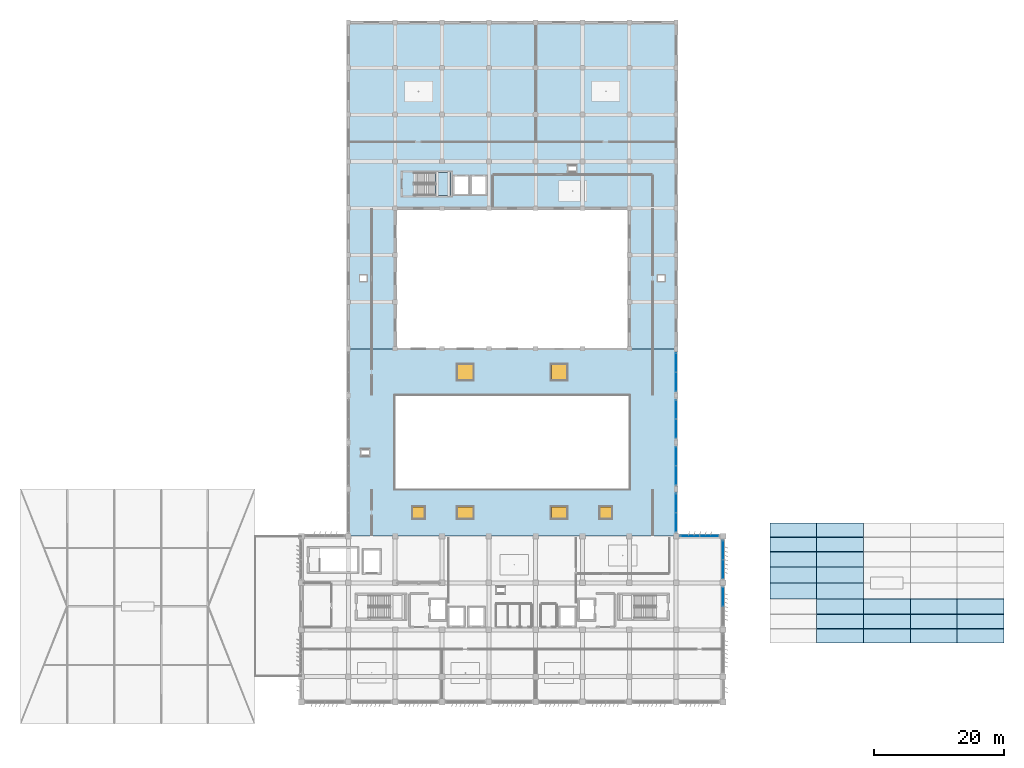
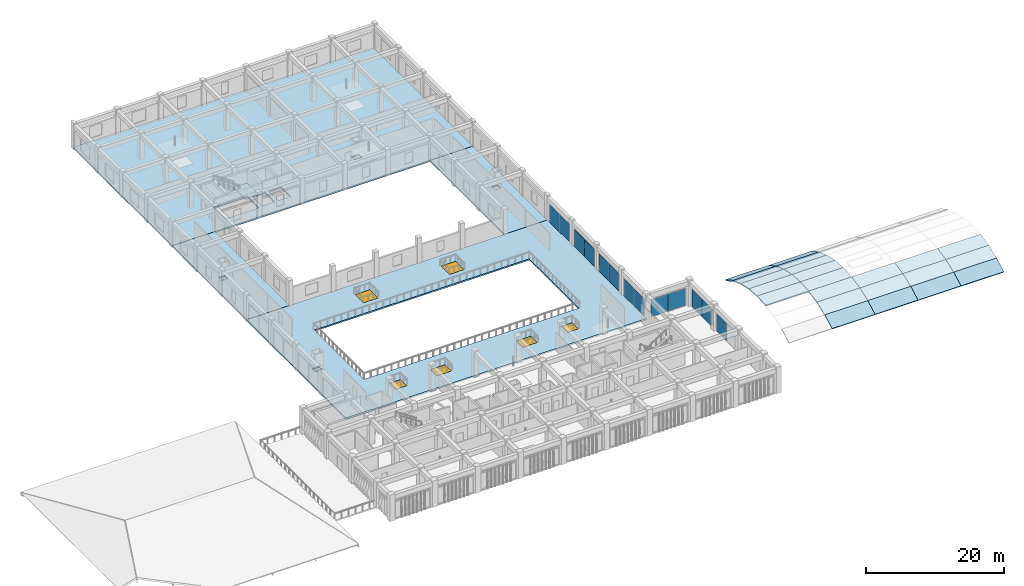
# One storey, part 27 of 55: 27 slabs, 13 plates, 6 windows, 6 openings, 8 elements without a shape of their own.
"""IFC4 building model written with IfcOpenShell, lengths in metres."""

import ifcopenshell
import ifcopenshell.guid

model = None  # the IFC model being written
_history = None  # IfcOwnerHistory: only IFC2X3 demands one
_inside = {}  # id of a spatial element -> (the spatial element, [elements in it])
_under = {}  # id of a project, library or spatial element -> (it, [spatial elements below it])
_declared = {}  # id of a project -> (the project, [libraries it declares])
_typed = {}  # id of a type object -> (the type object, [elements of that type])
_made_of = {}  # id of a material, layer set ... -> (it, [elements and type objects made of it])


def new_model(schema):
    """Start an empty IFC model of exactly this schema.

    Asked for "IFC4X3", IfcOpenShell would pick the latest addendum, in which some entities
    have other attributes; the version numbers below select the first issue.
    IFC2X3 requires an IfcOwnerHistory on every rooted entity: one is made here for all.
    """
    global model, _history
    if schema == "IFC4X3":
        model = ifcopenshell.file(schema_version=(4, 3, 0, 0))
    else:
        model = ifcopenshell.file(schema=schema)
    _inside.clear()
    _under.clear()
    _declared.clear()
    _typed.clear()
    _made_of.clear()
    _history = None
    if model.schema == "IFC2X3":
        org = make("IfcOrganization", Name="unknown")
        user = make(
            "IfcPersonAndOrganization",
            ThePerson=make("IfcPerson", FamilyName="unknown"),
            TheOrganization=org,
        )
        app = make(
            "IfcApplication",
            ApplicationDeveloper=org,
            Version="unknown",
            ApplicationFullName="unknown",
            ApplicationIdentifier="unknown",
        )
        _history = make(
            "IfcOwnerHistory",
            OwningUser=user,
            OwningApplication=app,
            ChangeAction="ADDED",
            CreationDate=0,
        )
    return model


def make(cls, **values):
    """One entity of the class cls with the attributes given. An attribute that is None is left unset."""
    return model.create_entity(
        cls, **{name: value for name, value in values.items() if value is not None}
    )


def rooted(cls, **values):
    """An entity with a GlobalId (a new one), such as an element, a storey or a relation."""
    return make(cls, GlobalId=ifcopenshell.guid.new(), OwnerHistory=_history, **values)


def si_unit(unit_type, name, prefix=None):
    """IfcSIUnit, for example si_unit("LENGTHUNIT", "METRE", prefix="MILLI")."""
    return make("IfcSIUnit", UnitType=unit_type, Prefix=prefix, Name=name)


def assignment(units):
    """IfcUnitAssignment: the units of a project."""
    return None if units is None else make("IfcUnitAssignment", Units=units)


def point(xyz):
    """IfcCartesianPoint."""
    return None if xyz is None else make("IfcCartesianPoint", Coordinates=xyz)


def direction(xyz):
    """IfcDirection."""
    return None if xyz is None else make("IfcDirection", DirectionRatios=xyz)


def frame(location, z_axis=None, x_axis=None):
    """IfcAxis2Placement3D, a coordinate frame: its origin and axes. An axis left out is left unset."""
    return make(
        "IfcAxis2Placement3D",
        Location=point(location),
        Axis=direction(z_axis),
        RefDirection=direction(x_axis),
    )


def frame_2d(location, x_axis=None):
    """IfcAxis2Placement2D, a coordinate frame in the plane: its origin and x axis."""
    return make(
        "IfcAxis2Placement2D", Location=point(location), RefDirection=direction(x_axis)
    )


def origin():
    """The frame at (0, 0, 0) with its axes left unset."""
    return frame((0.0, 0.0, 0.0))


def origin_2d():
    """The frame at (0, 0) in the plane with its x axis left unset."""
    return frame_2d((0.0, 0.0))


def place(relative_to, where):
    """IfcLocalPlacement: puts the frame where relative to a parent placement (None: the world)."""
    return make(
        "IfcLocalPlacement", PlacementRelTo=relative_to, RelativePlacement=where
    )


def context(
    kind, dimensions, precision=None, world=None, true_north=None, identifier=None
):
    """IfcGeometricRepresentationContext, for example the 3D "Model" context."""
    return make(
        "IfcGeometricRepresentationContext",
        ContextIdentifier=identifier,
        ContextType=kind,
        CoordinateSpaceDimension=dimensions,
        Precision=precision,
        WorldCoordinateSystem=world,
        TrueNorth=true_north,
    )


def subcontext(parent, identifier, kind, view, scale=None):
    """IfcGeometricRepresentationSubContext, for example "Body" below "Model"."""
    return make(
        "IfcGeometricRepresentationSubContext",
        ContextIdentifier=identifier,
        ContextType=kind,
        ParentContext=parent,
        TargetScale=scale,
        TargetView=view,
    )


def project(units=None, contexts=None):
    """IfcProject with its units and contexts."""
    return rooted(
        "IfcProject",
        Name="project",
        RepresentationContexts=contexts,
        UnitsInContext=assignment(units),
    )


def spatial(cls, under=None, at=None, **own):
    """A site, building, storey or space (cls), placed at a placement, below another one or the project."""
    s = rooted(cls, ObjectPlacement=at, **own)
    if under is not None:
        _under.setdefault(under.id(), (under, []))[1].append(s)
    return s


def polyline(points):
    """IfcPolyline through the points."""
    return make("IfcPolyline", Points=[point(p) for p in points])


def profile(cls, at=None, kind="AREA", **sizes):
    """A parametric profile (cls). Its sizes go by their IFC names, for example OverallWidth=200.0."""
    return make(cls, ProfileType=kind, Position=at, **sizes)


def rectangle(**sizes):
    """IfcRectangleProfileDef."""
    return profile("IfcRectangleProfileDef", **sizes)


def outline(outer, holes=None, kind="AREA"):
    """IfcArbitraryClosedProfileDef: a profile drawn as a closed curve; with holes, ...WithVoids."""
    if holes is None:
        return make("IfcArbitraryClosedProfileDef", ProfileType=kind, OuterCurve=outer)
    return make(
        "IfcArbitraryProfileDefWithVoids",
        ProfileType=kind,
        OuterCurve=outer,
        InnerCurves=holes,
    )


def extrude(swept, where, along, depth):
    """IfcExtrudedAreaSolid: the profile swept, set in the frame where, extruded along a direction by depth."""
    return make(
        "IfcExtrudedAreaSolid",
        SweptArea=swept,
        Position=where,
        ExtrudedDirection=direction(along),
        Depth=depth,
    )


def shape(context_of_items, identifier, shape_type, items):
    """IfcShapeRepresentation: the items that make up one representation, for example the "Body"."""
    return make(
        "IfcShapeRepresentation",
        ContextOfItems=context_of_items,
        RepresentationIdentifier=identifier,
        RepresentationType=shape_type,
        Items=items,
    )


def material(Name=None, Category=None):
    """IfcMaterial."""
    return make("IfcMaterial", Name=Name, Category=Category)


def layer(
    of_material, thickness, ventilated=None, Name=None, Category=None, Priority=None
):
    """IfcMaterialLayer: one layer of a wall or slab, of a material (None: an air gap)."""
    return make(
        "IfcMaterialLayer",
        Material=of_material,
        LayerThickness=thickness,
        IsVentilated=ventilated,
        Name=Name,
        Category=Category,
        Priority=Priority,
    )


def layer_set(layers, Name=None):
    """IfcMaterialLayerSet."""
    return make("IfcMaterialLayerSet", MaterialLayers=layers, LayerSetName=Name)


def made_of(thing, what):
    """Note that an element or type object is made of a material, layer set ...; save() writes the relation."""
    if what is not None:
        _made_of.setdefault(what.id(), (what, []))[1].append(thing)
    return thing


def type_object(cls, material=None, **own):
    """A type object (cls), such as IfcWallType, which elements share."""
    return made_of(rooted(cls, **own), material)


def element(
    cls,
    number,
    at=None,
    inside=None,
    cuts=None,
    type_object=None,
    material=None,
    context=None,
    identifier="Body",
    shape_type=None,
    held_by="IfcProductDefinitionShape",
    body=None,
    shapes=None,
    **own,
):
    """One element of the class cls, such as IfcWall. Its Tag is "e" and its number.

    at: its placement. inside: the storey or other place that contains it. cuts: it is an
    opening in that element (IfcRelVoidsElement). A single representation is given by context,
    identifier, shape_type and body (its items); several are given by shapes. held_by: the class
    of the entity that holds the representations. save() writes the other relations.
    """
    e = rooted(cls, Tag="e%d" % number, ObjectPlacement=at, **own)
    if body is not None:
        shapes = [shape(context, identifier, shape_type, body)]
    if shapes is not None:
        e.Representation = make(held_by, Representations=shapes)
    if inside is not None:
        _inside.setdefault(inside.id(), (inside, []))[1].append(e)
    if cuts is not None:
        rooted(
            "IfcRelVoidsElement", RelatingBuildingElement=cuts, RelatedOpeningElement=e
        )
    if type_object is not None:
        _typed.setdefault(type_object.id(), (type_object, []))[1].append(e)
    return made_of(e, material)


def fill(opening, filler):
    """IfcRelFillsElement: the door or window that sits in an opening."""
    return rooted(
        "IfcRelFillsElement",
        RelatingOpeningElement=opening,
        RelatedBuildingElement=filler,
    )


def aggregate(whole, parts):
    """IfcRelAggregates: a whole, such as a stair, and the parts it consists of."""
    return rooted("IfcRelAggregates", RelatingObject=whole, RelatedObjects=parts)


def save(model, path):
    """Write the relations noted so far, then the file.

    IfcRelAggregates (storeys below a building ...), IfcRelContainedInSpatialStructure (elements
    in a storey), IfcRelDefinesByType, IfcRelAssociatesMaterial and IfcRelDeclares: one each for
    every whole, place, type object, material and project.
    """
    for whole, parts in _under.values():
        aggregate(whole, parts)
    for where, things in _inside.values():
        rooted(
            "IfcRelContainedInSpatialStructure",
            RelatedElements=things,
            RelatingStructure=where,
        )
    for kind, things in _typed.values():
        rooted("IfcRelDefinesByType", RelatedObjects=things, RelatingType=kind)
    for what, things in _made_of.values():
        rooted("IfcRelAssociatesMaterial", RelatedObjects=things, RelatingMaterial=what)
    for by, libraries in _declared.values():
        rooted("IfcRelDeclares", RelatingContext=by, RelatedDefinitions=libraries)
    model.write(path)


model = new_model("IFC4")

# Units and contexts
model_context = context("Model", 3, precision=1e-05, world=origin(), true_north=direction((0.0, 1.0)))
body_context = subcontext(model_context, "Body", "Model", "MODEL_VIEW")
ifc_project = project(units=[si_unit("LENGTHUNIT", "METRE"), si_unit("AREAUNIT", "SQUARE_METRE"), si_unit("VOLUMEUNIT", "CUBIC_METRE"), si_unit("PLANEANGLEUNIT", "RADIAN"), si_unit("MASSUNIT", "GRAM", prefix="KILO")], contexts=[model_context])

# Site, building, storey
site_placement = place(None, origin())
site = spatial("IfcSite", under=ifc_project, at=site_placement, CompositionType="ELEMENT")
building_placement = place(site_placement, origin())
building = spatial("IfcBuilding", under=site, at=building_placement, Name="Kazehaya Institute of Natural Sciences", CompositionType="ELEMENT")
storey_placement = place(building_placement, frame((0.0, 0.0, 15.1201171875)))
storey = spatial("IfcBuildingStorey", under=building, at=storey_placement, Name="L03", CompositionType="ELEMENT", Elevation=15.1201171875)

# Curtain wall, plates
ifc_material_1 = material(Name="Aluminium alloy A6063S-T5", Category="aluminium")
curtain_wall_type_1 = type_object("IfcCurtainWallType", Name="CW-SYS-03", PredefinedType="NOTDEFINED", material=ifc_material_1)
curtain_wall_1_placement = place(storey_placement, origin())
curtain_wall_1 = element("IfcCurtainWall", 1, at=curtain_wall_1_placement, inside=storey, type_object=curtain_wall_type_1, Name="L03 unitised curtain wall CW-L03-067", PredefinedType="NOTDEFINED")
ifc_material_2 = material(Name="Low-E double-glazed vision glass", Category="glass")
ifc_layer_1 = layer(ifc_material_2, 0.050048828125, Name="Low-E double-glazed vision glass", Category="glass")
ifc_layer_set_1 = layer_set([ifc_layer_1], Name="Low-E double-glazed vision glass")
plate_type_1 = type_object("IfcPlateType", Name="CWP-03", PredefinedType="CURTAIN_PANEL", material=ifc_layer_set_1)
plate_1_placement = place(storey_placement, frame((114.3349609375, 35.60009765625, 0.059814453125), z_axis=(0.0, 0.0, 1.0), x_axis=(1.0, 0.0, 0.0)))
plate_1 = element("IfcPlate", 2, at=plate_1_placement, type_object=plate_type_1, Name="CW03 panel 1.1", PredefinedType="CURTAIN_PANEL", context=body_context, shape_type="SweptSolid", body=[
    extrude(rectangle(XDim=2.8701171875, YDim=0.050048828125, at=origin_2d()), origin(), (0.0, 0.0, 1.0), 3.06005859375),
])
plate_2_placement = place(storey_placement, frame((117.264892578125, 35.60009765625, 0.059814453125), z_axis=(0.0, 0.0, 1.0), x_axis=(1.0, 0.0, 0.0)))
plate_2 = element("IfcPlate", 3, at=plate_2_placement, type_object=plate_type_1, Name="CW03 panel 2.1", PredefinedType="CURTAIN_PANEL", context=body_context, shape_type="SweptSolid", body=[
    extrude(rectangle(XDim=2.8701171875, YDim=0.050048828125, at=origin_2d()), origin(), (0.0, 0.0, 1.0), 3.06005859375),
])
aggregate(curtain_wall_1, [plate_1, plate_2])

curtain_wall_type_2 = type_object("IfcCurtainWallType", Name="CW-SYS-04", PredefinedType="NOTDEFINED", material=ifc_material_1)
curtain_wall_2_placement = place(storey_placement, origin())
curtain_wall_2 = element("IfcCurtainWall", 4, at=curtain_wall_2_placement, inside=storey, type_object=curtain_wall_type_2, Name="L03 unitised curtain wall CW-L03-032", PredefinedType="NOTDEFINED")
ifc_material_3 = material(Name="Insulated bronze aluminium spandrel panel", Category="aluminium")
ifc_layer_2 = layer(ifc_material_3, 0.070068359375, Name="Insulated bronze aluminium spandrel panel", Category="aluminium")
ifc_layer_set_2 = layer_set([ifc_layer_2], Name="Insulated bronze aluminium spandrel panel")
plate_type_2 = type_object("IfcPlateType", Name="CWP-05", PredefinedType="CURTAIN_PANEL", material=ifc_layer_set_2)
plate_3_placement = place(storey_placement, frame((112.199951171875, 40.6650390625, 0.059814453125), z_axis=(0.0, 0.0, 1.0), x_axis=(0.0, -1.0, 0.0)))
plate_3 = element("IfcPlate", 5, at=plate_3_placement, type_object=plate_type_2, Name="CW04 panel 1.1", PredefinedType="CURTAIN_PANEL", context=body_context, shape_type="SweptSolid", body=[
    extrude(rectangle(XDim=2.8701171875, YDim=0.070068359375, at=origin_2d()), origin(), (0.0, 0.0, 1.0), 3.06005859375),
])
plate_4_placement = place(storey_placement, frame((112.199951171875, 37.735107421875, 0.059814453125), z_axis=(0.0, 0.0, 1.0), x_axis=(0.0, -1.0, 0.0)))
plate_4 = element("IfcPlate", 6, at=plate_4_placement, type_object=plate_type_2, Name="CW04 panel 2.1", PredefinedType="CURTAIN_PANEL", context=body_context, shape_type="SweptSolid", body=[
    extrude(rectangle(XDim=2.8701171875, YDim=0.070068359375, at=origin_2d()), origin(), (0.0, 0.0, 1.0), 3.06005859375),
])
aggregate(curtain_wall_2, [plate_3, plate_4])

curtain_wall_3_placement = place(storey_placement, origin())
curtain_wall_3 = element("IfcCurtainWall", 7, at=curtain_wall_3_placement, inside=storey, type_object=curtain_wall_type_2, Name="L03 unitised curtain wall CW-L03-034", PredefinedType="NOTDEFINED")
ifc_layer_3 = layer(ifc_material_3, 0.080078125, Name="Insulated bronze aluminium spandrel panel", Category="aluminium")
ifc_layer_set_3 = layer_set([ifc_layer_3], Name="Insulated bronze aluminium spandrel panel")
plate_type_3 = type_object("IfcPlateType", Name="CWP-06", PredefinedType="CURTAIN_PANEL", material=ifc_layer_set_3)
plate_5_placement = place(storey_placement, frame((112.199951171875, 47.864990234375, 0.059814453125), z_axis=(0.0, 0.0, 1.0), x_axis=(0.0, -1.0, 0.0)))
plate_5 = element("IfcPlate", 8, at=plate_5_placement, type_object=plate_type_3, Name="CW04 panel 1.1", PredefinedType="CURTAIN_PANEL", context=body_context, shape_type="SweptSolid", body=[
    extrude(rectangle(XDim=2.8701171875, YDim=0.080078125, at=origin_2d()), origin(), (0.0, 0.0, 1.0), 3.06005859375),
])
plate_6_placement = place(storey_placement, frame((112.199951171875, 44.93505859375, 0.059814453125), z_axis=(0.0, 0.0, 1.0), x_axis=(0.0, -1.0, 0.0)))
plate_6 = element("IfcPlate", 9, at=plate_6_placement, type_object=plate_type_3, Name="CW04 panel 2.1", PredefinedType="CURTAIN_PANEL", context=body_context, shape_type="SweptSolid", body=[
    extrude(rectangle(XDim=2.8701171875, YDim=0.080078125, at=origin_2d()), origin(), (0.0, 0.0, 1.0), 3.06005859375),
])
aggregate(curtain_wall_3, [plate_5, plate_6])

# Curtain wall, plate
curtain_wall_type_3 = type_object("IfcCurtainWallType", Name="CW-SYS-10", PredefinedType="NOTDEFINED", material=ifc_material_1)
curtain_wall_4_placement = place(storey_placement, origin())
curtain_wall_4 = element("IfcCurtainWall", 10, at=curtain_wall_4_placement, inside=storey, type_object=curtain_wall_type_3, Name="L03 unitised curtain wall CW-L03-072", PredefinedType="NOTDEFINED")
plate_7_placement = place(storey_placement, frame((119.39990234375, 26.264892578125, 0.059814453125), z_axis=(0.0, 0.0, 1.0), x_axis=(0.0, -1.0, 0.0)))
plate_7 = element("IfcPlate", 11, at=plate_7_placement, type_object=plate_type_3, Name="CW10 panel 1.1", PredefinedType="CURTAIN_PANEL", context=body_context, shape_type="SweptSolid", body=[
    extrude(rectangle(XDim=2.8701171875, YDim=0.080078125, at=origin_2d()), origin(), (0.0, 0.0, 1.0), 3.06005859375),
])
aggregate(curtain_wall_4, [plate_7])

# Curtain wall, plates
curtain_wall_5_placement = place(storey_placement, origin())
curtain_wall_5 = element("IfcCurtainWall", 12, at=curtain_wall_5_placement, inside=storey, type_object=curtain_wall_type_3, Name="L03 unitised curtain wall CW-L03-074", PredefinedType="NOTDEFINED")
plate_8_placement = place(storey_placement, frame((119.39990234375, 33.465087890625, 0.059814453125), z_axis=(0.0, 0.0, 1.0), x_axis=(0.0, -1.0, 0.0)))
plate_8 = element("IfcPlate", 13, at=plate_8_placement, type_object=plate_type_3, Name="CW10 panel 1.1", PredefinedType="CURTAIN_PANEL", context=body_context, shape_type="SweptSolid", body=[
    extrude(rectangle(XDim=2.8701171875, YDim=0.080078125, at=origin_2d()), origin(), (0.0, 0.0, 1.0), 3.06005859375),
])
plate_9_placement = place(storey_placement, frame((119.39990234375, 30.534912109375, 0.059814453125), z_axis=(0.0, 0.0, 1.0), x_axis=(0.0, -1.0, 0.0)))
plate_9 = element("IfcPlate", 14, at=plate_9_placement, type_object=plate_type_3, Name="CW10 panel 2.1", PredefinedType="CURTAIN_PANEL", context=body_context, shape_type="SweptSolid", body=[
    extrude(rectangle(XDim=2.8701171875, YDim=0.080078125, at=origin_2d()), origin(), (0.0, 0.0, 1.0), 3.06005859375),
])
aggregate(curtain_wall_5, [plate_8, plate_9])

curtain_wall_6_placement = place(storey_placement, origin())
curtain_wall_6 = element("IfcCurtainWall", 15, at=curtain_wall_6_placement, inside=storey, type_object=curtain_wall_type_2, Name="L03 unitised curtain wall CW-L03-036", PredefinedType="NOTDEFINED")
ifc_layer_4 = layer(ifc_material_3, 0.090087890625, Name="Insulated bronze aluminium spandrel panel", Category="aluminium")
ifc_layer_set_4 = layer_set([ifc_layer_4], Name="Insulated bronze aluminium spandrel panel")
plate_type_4 = type_object("IfcPlateType", Name="CWP-07", PredefinedType="CURTAIN_PANEL", material=ifc_layer_set_4)
plate_10_placement = place(storey_placement, frame((112.199951171875, 55.06494140625, 0.059814453125), z_axis=(0.0, 0.0, 1.0), x_axis=(0.0, -1.0, 0.0)))
plate_10 = element("IfcPlate", 16, at=plate_10_placement, type_object=plate_type_4, Name="CW04 panel 1.1", PredefinedType="CURTAIN_PANEL", context=body_context, shape_type="SweptSolid", body=[
    extrude(rectangle(XDim=2.8701171875, YDim=0.090087890625, at=origin_2d()), origin(), (0.0, 0.0, 1.0), 3.06005859375),
])
plate_11_placement = place(storey_placement, frame((112.199951171875, 52.135009765625, 0.059814453125), z_axis=(0.0, 0.0, 1.0), x_axis=(0.0, -1.0, 0.0)))
plate_11 = element("IfcPlate", 17, at=plate_11_placement, type_object=plate_type_4, Name="CW04 panel 2.1", PredefinedType="CURTAIN_PANEL", context=body_context, shape_type="SweptSolid", body=[
    extrude(rectangle(XDim=2.8701171875, YDim=0.090087890625, at=origin_2d()), origin(), (0.0, 0.0, 1.0), 3.06005859375),
])
aggregate(curtain_wall_6, [plate_10, plate_11])

curtain_wall_7_placement = place(storey_placement, origin())
curtain_wall_7 = element("IfcCurtainWall", 18, at=curtain_wall_7_placement, inside=storey, type_object=curtain_wall_type_2, Name="L03 unitised curtain wall CW-L03-038", PredefinedType="NOTDEFINED")
ifc_layer_5 = layer(ifc_material_3, 0.10009765625, Name="Insulated bronze aluminium spandrel panel", Category="aluminium")
ifc_layer_set_5 = layer_set([ifc_layer_5], Name="Insulated bronze aluminium spandrel panel")
plate_type_5 = type_object("IfcPlateType", Name="CWP-08", PredefinedType="CURTAIN_PANEL", material=ifc_layer_set_5)
plate_12_placement = place(storey_placement, frame((112.199951171875, 62.264892578125, 0.059814453125), z_axis=(0.0, 0.0, 1.0), x_axis=(0.0, -1.0, 0.0)))
plate_12 = element("IfcPlate", 19, at=plate_12_placement, type_object=plate_type_5, Name="CW04 panel 1.1", PredefinedType="CURTAIN_PANEL", context=body_context, shape_type="SweptSolid", body=[
    extrude(rectangle(XDim=2.8701171875, YDim=0.10009765625, at=origin_2d()), origin(), (0.0, 0.0, 1.0), 3.06005859375),
])
plate_13_placement = place(storey_placement, frame((112.199951171875, 59.3349609375, 0.059814453125), z_axis=(0.0, 0.0, 1.0), x_axis=(0.0, -1.0, 0.0)))
plate_13 = element("IfcPlate", 20, at=plate_13_placement, type_object=plate_type_5, Name="CW04 panel 2.1", PredefinedType="CURTAIN_PANEL", context=body_context, shape_type="SweptSolid", body=[
    extrude(rectangle(XDim=2.8701171875, YDim=0.10009765625, at=origin_2d()), origin(), (0.0, 0.0, 1.0), 3.06005859375),
])
aggregate(curtain_wall_7, [plate_12, plate_13])

# Slabs
ifc_material_4 = material(Name="Concrete Fc36", Category="concrete")
ifc_layer_6 = layer(ifc_material_4, 0.239990234375, Name="Concrete Fc36", Category="concrete")
ifc_layer_set_6 = layer_set([ifc_layer_6], Name="Concrete Fc36")
slab_type_1 = type_object("IfcSlabType", Name="SL-FLR-240", PredefinedType="FLOOR", material=ifc_layer_set_6)
slab_1_placement = place(storey_placement, frame((0.0, 0.0, -0.240234375)))
element("IfcSlab", 21, at=slab_1_placement, inside=storey, type_object=slab_type_1, Name="L03 structural slab L03-VOL5W", PredefinedType="FLOOR", context=body_context, shape_type="SweptSolid", body=[
    extrude(outline(polyline([(61.800048828125, 64.39990234375), (69.0, 64.39990234375), (69.0, 86.0), (61.800048828125, 86.0), (61.800048828125, 64.39990234375)]), holes=[polyline([(63.60009765625, 74.800048828125), (64.60009765625, 74.800048828125), (64.60009765625, 75.699951171875), (63.60009765625, 75.699951171875), (63.60009765625, 74.800048828125)])]), origin(), (0.0, 0.0, 1.0), 0.240234375),
])
slab_2_placement = place(storey_placement, frame((0.0, 0.0, -0.240234375)))
element("IfcSlab", 22, at=slab_2_placement, inside=storey, type_object=slab_type_1, Name="L03 structural slab L03-VOL5E", PredefinedType="FLOOR", context=body_context, shape_type="SweptSolid", body=[
    extrude(outline(polyline([(105.0, 64.39990234375), (112.199951171875, 64.39990234375), (112.199951171875, 86.0), (105.0, 86.0), (105.0, 64.39990234375)]), holes=[polyline([(109.39990234375, 74.800048828125), (110.39990234375, 74.800048828125), (110.39990234375, 75.699951171875), (109.39990234375, 75.699951171875), (109.39990234375, 74.800048828125)])]), origin(), (0.0, 0.0, 1.0), 0.240234375),
])

# Slab, openings, windows
ifc_layer_7 = layer(ifc_material_4, 0.25, Name="Concrete Fc36", Category="concrete")
ifc_layer_set_7 = layer_set([ifc_layer_7], Name="Concrete Fc36")
slab_type_2 = type_object("IfcSlabType", Name="SL-FLR-250", PredefinedType="FLOOR", material=ifc_layer_set_7)
slab_3_placement = place(storey_placement, frame((0.0, 0.0, -0.25)))
slab_3 = element("IfcSlab", 23, at=slab_3_placement, inside=storey, type_object=slab_type_2, Name="L03 structural slab L03-VOL2", PredefinedType="FLOOR", context=body_context, shape_type="SweptSolid", body=[
    extrude(outline(polyline([(61.800048828125, 35.60009765625), (112.199951171875, 35.60009765625), (112.199951171875, 64.39990234375), (61.800048828125, 64.39990234375), (61.800048828125, 35.60009765625)]), holes=[polyline([(63.800048828125, 48.0), (65.0, 48.0), (65.0, 48.89990234375), (63.800048828125, 48.89990234375), (63.800048828125, 48.0)]), polyline([(69.0, 42.800048828125), (105.0, 42.800048828125), (105.0, 57.199951171875), (69.0, 57.199951171875), (69.0, 42.800048828125)]), polyline([(71.699951171875, 38.300048828125), (73.5, 38.300048828125), (73.5, 40.10009765625), (71.699951171875, 40.10009765625), (71.699951171875, 38.300048828125)]), polyline([(78.60009765625, 38.300048828125), (81.0, 38.300048828125), (81.0, 40.10009765625), (78.60009765625, 40.10009765625), (78.60009765625, 38.300048828125)]), polyline([(93.0, 38.300048828125), (95.39990234375, 38.300048828125), (95.39990234375, 40.10009765625), (93.0, 40.10009765625), (93.0, 38.300048828125)]), polyline([(100.5, 38.300048828125), (102.300048828125, 38.300048828125), (102.300048828125, 40.10009765625), (100.5, 40.10009765625), (100.5, 38.300048828125)]), polyline([(78.60009765625, 59.60009765625), (81.0, 59.60009765625), (81.0, 62.0), (78.60009765625, 62.0), (78.60009765625, 59.60009765625)]), polyline([(93.0, 59.60009765625), (95.39990234375, 59.60009765625), (95.39990234375, 62.0), (93.0, 62.0), (93.0, 59.60009765625)])]), origin(), (0.0, 0.0, 1.0), 0.25),
])
opening_1_placement = place(slab_3_placement, frame((72.60009765625, 39.199951171875, 0.0)))
opening_1 = element("IfcOpeningElement", 24, at=opening_1_placement, cuts=slab_3, Name="Opening SK01", PredefinedType="OPENING", context=body_context, shape_type="SweptSolid", body=[
    extrude(rectangle(XDim=1.800048828125, YDim=1.800048828125, at=origin_2d()), frame((0.0, 0.0, -0.010009765625)), (0.0, 0.0, 1.0), 0.27001953125),
])
opening_2_placement = place(slab_3_placement, frame((79.800048828125, 39.199951171875, 0.0)))
opening_2 = element("IfcOpeningElement", 25, at=opening_2_placement, cuts=slab_3, Name="Opening SK02", PredefinedType="OPENING", context=body_context, shape_type="SweptSolid", body=[
    extrude(rectangle(XDim=2.39990234375, YDim=1.800048828125, at=origin_2d()), frame((0.0, 0.0, -0.010009765625)), (0.0, 0.0, 1.0), 0.27001953125),
])
opening_3_placement = place(slab_3_placement, frame((94.199951171875, 39.199951171875, 0.0)))
opening_3 = element("IfcOpeningElement", 26, at=opening_3_placement, cuts=slab_3, Name="Opening SK02", PredefinedType="OPENING", context=body_context, shape_type="SweptSolid", body=[
    extrude(rectangle(XDim=2.39990234375, YDim=1.800048828125, at=origin_2d()), frame((0.0, 0.0, -0.010009765625)), (0.0, 0.0, 1.0), 0.27001953125),
])
opening_4_placement = place(slab_3_placement, frame((101.39990234375, 39.199951171875, 0.0)))
opening_4 = element("IfcOpeningElement", 27, at=opening_4_placement, cuts=slab_3, Name="Opening SK01", PredefinedType="OPENING", context=body_context, shape_type="SweptSolid", body=[
    extrude(rectangle(XDim=1.800048828125, YDim=1.800048828125, at=origin_2d()), frame((0.0, 0.0, -0.010009765625)), (0.0, 0.0, 1.0), 0.27001953125),
])
opening_5_placement = place(slab_3_placement, frame((79.800048828125, 60.800048828125, 0.0)))
opening_5 = element("IfcOpeningElement", 28, at=opening_5_placement, cuts=slab_3, Name="Opening SK03", PredefinedType="OPENING", context=body_context, shape_type="SweptSolid", body=[
    extrude(rectangle(XDim=2.39990234375, YDim=2.39990234375, at=origin_2d()), frame((0.0, 0.0, -0.010009765625)), (0.0, 0.0, 1.0), 0.27001953125),
])
opening_6_placement = place(slab_3_placement, frame((94.199951171875, 60.800048828125, 0.0)))
opening_6 = element("IfcOpeningElement", 29, at=opening_6_placement, cuts=slab_3, Name="Opening SK03", PredefinedType="OPENING", context=body_context, shape_type="SweptSolid", body=[
    extrude(rectangle(XDim=2.39990234375, YDim=2.39990234375, at=origin_2d()), frame((0.0, 0.0, -0.010009765625)), (0.0, 0.0, 1.0), 0.27001953125),
])
ifc_material_5 = material(Name="Low-E double-glazed aluminium window", Category="aluminium")
window_type_1 = type_object("IfcWindowType", Name="SK-01", PartitioningType="DOUBLE_PANEL_VERTICAL", PredefinedType="SKYLIGHT", material=ifc_material_5)
window_1_placement = place(opening_1_placement, frame((0.0, 0.0, 0.199951171875)))
window_1 = element("IfcWindow", 30, at=window_1_placement, inside=storey, type_object=window_type_1, Name="L03 daylight skylight SKY-01", OverallHeight=1.800048828125, OverallWidth=1.800048828125, PartitioningType="SINGLE_PANEL", PredefinedType="SKYLIGHT", context=body_context, shape_type="SweptSolid", body=[
    extrude(rectangle(XDim=1.800048828125, YDim=1.800048828125, at=origin_2d()), origin(), (0.0, 0.0, 1.0), 0.050048828125),
])
fill(opening_1, window_1)
window_2_placement = place(opening_4_placement, frame((0.0, 0.0, 0.199951171875)))
window_2 = element("IfcWindow", 31, at=window_2_placement, inside=storey, type_object=window_type_1, Name="L03 daylight skylight SKY-04", OverallHeight=1.800048828125, OverallWidth=1.800048828125, PartitioningType="SINGLE_PANEL", PredefinedType="SKYLIGHT", context=body_context, shape_type="SweptSolid", body=[
    extrude(rectangle(XDim=1.800048828125, YDim=1.800048828125, at=origin_2d()), origin(), (0.0, 0.0, 1.0), 0.050048828125),
])
fill(opening_4, window_2)
window_type_2 = type_object("IfcWindowType", Name="SK-02", PartitioningType="DOUBLE_PANEL_VERTICAL", PredefinedType="SKYLIGHT", material=ifc_material_5)
window_3_placement = place(opening_2_placement, frame((0.0, 0.0, 0.199951171875)))
window_3 = element("IfcWindow", 32, at=window_3_placement, inside=storey, type_object=window_type_2, Name="L03 daylight skylight SKY-02", OverallHeight=1.800048828125, OverallWidth=2.39990234375, PartitioningType="SINGLE_PANEL", PredefinedType="SKYLIGHT", context=body_context, shape_type="SweptSolid", body=[
    extrude(rectangle(XDim=2.39990234375, YDim=1.800048828125, at=origin_2d()), origin(), (0.0, 0.0, 1.0), 0.050048828125),
])
fill(opening_2, window_3)
window_4_placement = place(opening_3_placement, frame((0.0, 0.0, 0.199951171875)))
window_4 = element("IfcWindow", 33, at=window_4_placement, inside=storey, type_object=window_type_2, Name="L03 daylight skylight SKY-03", OverallHeight=1.800048828125, OverallWidth=2.39990234375, PartitioningType="SINGLE_PANEL", PredefinedType="SKYLIGHT", context=body_context, shape_type="SweptSolid", body=[
    extrude(rectangle(XDim=2.39990234375, YDim=1.800048828125, at=origin_2d()), origin(), (0.0, 0.0, 1.0), 0.050048828125),
])
fill(opening_3, window_4)
window_type_3 = type_object("IfcWindowType", Name="SK-03", PartitioningType="DOUBLE_PANEL_VERTICAL", PredefinedType="SKYLIGHT", material=ifc_material_5)
window_5_placement = place(opening_5_placement, frame((0.0, 0.0, 0.199951171875)))
window_5 = element("IfcWindow", 34, at=window_5_placement, inside=storey, type_object=window_type_3, Name="L03 daylight skylight SKY-05", OverallHeight=2.39990234375, OverallWidth=2.39990234375, PartitioningType="SINGLE_PANEL", PredefinedType="SKYLIGHT", context=body_context, shape_type="SweptSolid", body=[
    extrude(rectangle(XDim=2.39990234375, YDim=2.39990234375, at=origin_2d()), origin(), (0.0, 0.0, 1.0), 0.050048828125),
])
fill(opening_5, window_5)
window_6_placement = place(opening_6_placement, frame((0.0, 0.0, 0.199951171875)))
window_6 = element("IfcWindow", 35, at=window_6_placement, inside=storey, type_object=window_type_3, Name="L03 daylight skylight SKY-06", OverallHeight=2.39990234375, OverallWidth=2.39990234375, PartitioningType="SINGLE_PANEL", PredefinedType="SKYLIGHT", context=body_context, shape_type="SweptSolid", body=[
    extrude(rectangle(XDim=2.39990234375, YDim=2.39990234375, at=origin_2d()), origin(), (0.0, 0.0, 1.0), 0.050048828125),
])
fill(opening_6, window_6)

# Slab
slab_4_placement = place(storey_placement, frame((0.0, 0.0, -0.25)))
element("IfcSlab", 36, at=slab_4_placement, inside=storey, type_object=slab_type_2, Name="L03 structural slab L03-VOL5N", PredefinedType="FLOOR", context=body_context, shape_type="SweptSolid", body=[
    extrude(outline(polyline([(61.800048828125, 86.0), (112.199951171875, 86.0), (112.199951171875, 114.800048828125), (61.800048828125, 114.800048828125), (61.800048828125, 86.0)]), holes=[polyline([(95.60009765625, 91.60009765625), (96.800048828125, 91.60009765625), (96.800048828125, 92.5), (95.60009765625, 92.5), (95.60009765625, 91.60009765625)]), polyline([(71.860107421875, 88.0), (77.5, 88.0), (77.5, 91.47998046875), (71.860107421875, 91.47998046875), (71.860107421875, 88.0)]), polyline([(78.10009765625, 88.199951171875), (80.199951171875, 88.199951171875), (80.199951171875, 90.89990234375), (78.10009765625, 90.89990234375), (78.10009765625, 88.199951171875)]), polyline([(80.800048828125, 88.199951171875), (82.89990234375, 88.199951171875), (82.89990234375, 90.89990234375), (80.800048828125, 90.89990234375), (80.800048828125, 88.199951171875)])]), origin(), (0.0, 0.0, 1.0), 0.25),
])

# Stair, slab
stair_type = type_object("IfcStairType", Name="STR-DOG-4680", PredefinedType="HALF_TURN_STAIR", material=ifc_material_4)
stair_placement = place(storey_placement, origin())
stair = element("IfcStair", 37, at=stair_placement, inside=storey, type_object=stair_type, Name="L03 Protected Escape Stair ST-3", PredefinedType="HALF_TURN_STAIR")
ifc_layer_8 = layer(ifc_material_4, 0.159912109375, Name="Concrete Fc36", Category="concrete")
ifc_layer_set_8 = layer_set([ifc_layer_8], Name="Concrete Fc36")
slab_type_3 = type_object("IfcSlabType", Name="SL-LND-160", PredefinedType="LANDING", material=ifc_layer_set_8)
slab_5_placement = place(storey_placement, frame((0.0, 0.0, 2.139892578125)))
slab_5 = element("IfcSlab", 38, at=slab_5_placement, type_object=slab_type_3, Name="ST-3 landing 1", PredefinedType="LANDING", context=body_context, shape_type="SweptSolid", body=[
    extrude(outline(polyline([(75.219970703125, 88.0), (77.5, 88.0), (77.5, 91.47998046875), (75.219970703125, 91.47998046875), (75.219970703125, 88.0)])), origin(), (0.0, 0.0, 1.0), 0.199951171875),
])
aggregate(stair, [slab_5])

# Slabs
ifc_layer_9 = layer(ifc_material_4, 0.199951171875, Name="Concrete Fc36", Category="concrete")
ifc_layer_set_9 = layer_set([ifc_layer_9], Name="Concrete Fc36")
slab_type_4 = type_object("IfcSlabType", Name="SL-SHL-200", PredefinedType="ROOF", material=ifc_layer_set_9)
slab_6_placement = place(storey_placement, frame((126.60009765625, 25.9697265625, 3.147216796875), z_axis=(0.0, -0.070848240307, 0.997487106105), x_axis=(1.0, 0.0, 0.0)))
element("IfcSlab", 39, at=slab_6_placement, inside=storey, type_object=slab_type_4, Name="SH-VOL1 barrel vault shell strip 7", PredefinedType="ROOF", context=body_context, shape_type="SweptSolid", body=[
    extrude(outline(polyline([(0.0, 0.0), (7.199951171875, 0.0), (7.199951171875, 2.436297939468895), (0.0, 2.436297939468895), (0.0, 0.0)])), origin(), (0.0, 0.0, -1.0), 0.199951171875),
])
slab_7_placement = place(storey_placement, frame((126.60009765625, 28.39990234375, 3.31982421875), z_axis=(0.0, 0.070841159175, 0.997487609029), x_axis=(1.0, 0.0, 0.0)))
element("IfcSlab", 40, at=slab_7_placement, inside=storey, type_object=slab_type_4, Name="SH-VOL1 barrel vault shell strip 8", PredefinedType="ROOF", context=body_context, shape_type="SweptSolid", body=[
    extrude(outline(polyline([(0.0, 0.0), (7.199951171875, 0.0), (7.199951171875, 2.436541466655804), (0.0, 2.436541466655804), (0.0, 0.0)])), origin(), (0.0, 0.0, -1.0), 0.199951171875),
])
slab_8_placement = place(storey_placement, frame((126.60009765625, 30.830322265625, 3.147216796875), z_axis=(0.0, 0.211123225914, 0.977459453624), x_axis=(1.0, 0.0, 0.0)))
element("IfcSlab", 41, at=slab_8_placement, inside=storey, type_object=slab_type_4, Name="SH-VOL1 barrel vault shell strip 9", PredefinedType="ROOF", context=body_context, shape_type="SweptSolid", body=[
    extrude(outline(polyline([(0.0, 0.0), (7.199951171875, 0.0), (7.199951171875, 2.436512111110009), (0.0, 2.436512111110009), (0.0, 0.0)])), origin(), (0.0, 0.0, -1.0), 0.199951171875),
])
slab_9_placement = place(storey_placement, frame((126.60009765625, 33.2119140625, 2.6328125), z_axis=(0.0, 0.347232758917, 0.937778977763), x_axis=(1.0, 0.0, 0.0)))
element("IfcSlab", 42, at=slab_9_placement, inside=storey, type_object=slab_type_4, Name="SH-VOL1 barrel vault shell strip 10", PredefinedType="ROOF", context=body_context, shape_type="SweptSolid", body=[
    extrude(outline(polyline([(0.0, 0.0), (7.199951171875, 0.0), (7.199951171875, 2.4362541952043233), (0.0, 2.4362541952043233), (0.0, 0.0)])), origin(), (0.0, 0.0, -1.0), 0.199951171875),
])
for number, where, z_axis, x_axis, name in (
    (43, (126.60009765625, 35.49658203125, 1.786865234375), (0.0, 0.476273464289, 0.879297212104), (1.0, 0.0, 0.0), "SH-VOL1 barrel vault shell strip 11"),
    (44, (133.800048828125, 19.160888671875, 0.62646484375), (0.0, -0.476273464289, 0.879297212104), (1.0, 0.0, 0.0), "SH-VOL1 barrel vault shell strip 4"),
):
    element("IfcSlab", number, at=place(storey_placement, frame(where, z_axis=z_axis, x_axis=x_axis)), inside=storey, type_object=slab_type_4, Name=name, PredefinedType="ROOF", context=body_context, shape_type="SweptSolid", body=[
        extrude(outline(polyline([(0.0, 0.0), (7.199951171875, 0.0), (7.199951171875, 2.4364162138622203), (0.0, 2.4364162138622203), (0.0, 0.0)])), origin(), (0.0, 0.0, -1.0), 0.199951171875),
    ])
slab_10_placement = place(storey_placement, frame((133.800048828125, 21.30322265625, 1.786865234375), z_axis=(0.0, -0.347200130154, 0.937791058617), x_axis=(1.0, 0.0, 0.0)))
element("IfcSlab", 45, at=slab_10_placement, inside=storey, type_object=slab_type_4, Name="SH-VOL1 barrel vault shell strip 5", PredefinedType="ROOF", context=body_context, shape_type="SweptSolid", body=[
    extrude(outline(polyline([(0.0, 0.0), (7.199951171875, 0.0), (7.199951171875, 2.436483146624849), (0.0, 2.436483146624849), (0.0, 0.0)])), origin(), (0.0, 0.0, -1.0), 0.199951171875),
])
slab_11_placement = place(storey_placement, frame((133.800048828125, 23.588134765625, 2.6328125), z_axis=(0.0, -0.211123225914, 0.977459453624), x_axis=(1.0, 0.0, 0.0)))
element("IfcSlab", 46, at=slab_11_placement, inside=storey, type_object=slab_type_4, Name="SH-VOL1 barrel vault shell strip 6", PredefinedType="ROOF", context=body_context, shape_type="SweptSolid", body=[
    extrude(outline(polyline([(0.0, 0.0), (7.199951171875, 0.0), (7.199951171875, 2.436512111110009), (0.0, 2.436512111110009), (0.0, 0.0)])), origin(), (0.0, 0.0, -1.0), 0.199951171875),
])
slab_12_placement = place(storey_placement, frame((133.800048828125, 25.9697265625, 3.147216796875), z_axis=(0.0, -0.070848240307, 0.997487106105), x_axis=(1.0, 0.0, 0.0)))
element("IfcSlab", 47, at=slab_12_placement, inside=storey, type_object=slab_type_4, Name="SH-VOL1 barrel vault shell strip 7", PredefinedType="ROOF", context=body_context, shape_type="SweptSolid", body=[
    extrude(outline(polyline([(0.0, 0.0), (7.199951171875, 0.0), (7.199951171875, 2.436297939468895), (0.0, 2.436297939468895), (0.0, 0.0)])), origin(), (0.0, 0.0, -1.0), 0.199951171875),
])
slab_13_placement = place(storey_placement, frame((133.800048828125, 28.39990234375, 3.31982421875), z_axis=(0.0, 0.070841159175, 0.997487609029), x_axis=(1.0, 0.0, 0.0)))
element("IfcSlab", 48, at=slab_13_placement, inside=storey, type_object=slab_type_4, Name="SH-VOL1 barrel vault shell strip 8", PredefinedType="ROOF", context=body_context, shape_type="SweptSolid", body=[
    extrude(outline(polyline([(0.0, 0.0), (7.199951171875, 0.0), (7.199951171875, 2.436541466655804), (0.0, 2.436541466655804), (0.0, 0.0)])), origin(), (0.0, 0.0, -1.0), 0.199951171875),
])
slab_14_placement = place(storey_placement, frame((133.800048828125, 30.830322265625, 3.147216796875), z_axis=(0.0, 0.211123225914, 0.977459453624), x_axis=(1.0, 0.0, 0.0)))
element("IfcSlab", 49, at=slab_14_placement, inside=storey, type_object=slab_type_4, Name="SH-VOL1 barrel vault shell strip 9", PredefinedType="ROOF", context=body_context, shape_type="SweptSolid", body=[
    extrude(outline(polyline([(0.0, 0.0), (7.199951171875, 0.0), (7.199951171875, 2.436512111110009), (0.0, 2.436512111110009), (0.0, 0.0)])), origin(), (0.0, 0.0, -1.0), 0.199951171875),
])
slab_15_placement = place(storey_placement, frame((133.800048828125, 33.2119140625, 2.6328125), z_axis=(0.0, 0.347232758917, 0.937778977763), x_axis=(1.0, 0.0, 0.0)))
element("IfcSlab", 50, at=slab_15_placement, inside=storey, type_object=slab_type_4, Name="SH-VOL1 barrel vault shell strip 10", PredefinedType="ROOF", context=body_context, shape_type="SweptSolid", body=[
    extrude(outline(polyline([(0.0, 0.0), (7.199951171875, 0.0), (7.199951171875, 2.4362541952043233), (0.0, 2.4362541952043233), (0.0, 0.0)])), origin(), (0.0, 0.0, -1.0), 0.199951171875),
])
for number, where, z_axis, x_axis, name in (
    (51, (133.800048828125, 35.49658203125, 1.786865234375), (0.0, 0.476273464289, 0.879297212104), (1.0, 0.0, 0.0), "SH-VOL1 barrel vault shell strip 11"),
    (52, (141.0, 19.160888671875, 0.62646484375), (0.0, -0.476273464289, 0.879297212104), (1.0, 0.0, 0.0), "SH-VOL1 barrel vault shell strip 4"),
):
    element("IfcSlab", number, at=place(storey_placement, frame(where, z_axis=z_axis, x_axis=x_axis)), inside=storey, type_object=slab_type_4, Name=name, PredefinedType="ROOF", context=body_context, shape_type="SweptSolid", body=[
        extrude(outline(polyline([(0.0, 0.0), (7.199951171875, 0.0), (7.199951171875, 2.4364162138622203), (0.0, 2.4364162138622203), (0.0, 0.0)])), origin(), (0.0, 0.0, -1.0), 0.199951171875),
    ])
slab_16_placement = place(storey_placement, frame((141.0, 21.30322265625, 1.786865234375), z_axis=(0.0, -0.347200130154, 0.937791058617), x_axis=(1.0, 0.0, 0.0)))
element("IfcSlab", 53, at=slab_16_placement, inside=storey, type_object=slab_type_4, Name="SH-VOL1 barrel vault shell strip 5", PredefinedType="ROOF", context=body_context, shape_type="SweptSolid", body=[
    extrude(outline(polyline([(0.0, 0.0), (7.199951171875, 0.0), (7.199951171875, 2.436483146624849), (0.0, 2.436483146624849), (0.0, 0.0)])), origin(), (0.0, 0.0, -1.0), 0.199951171875),
])
slab_17_placement = place(storey_placement, frame((141.0, 23.588134765625, 2.6328125), z_axis=(0.0, -0.211123225914, 0.977459453624), x_axis=(1.0, 0.0, 0.0)))
element("IfcSlab", 54, at=slab_17_placement, inside=storey, type_object=slab_type_4, Name="SH-VOL1 barrel vault shell strip 6", PredefinedType="ROOF", context=body_context, shape_type="SweptSolid", body=[
    extrude(outline(polyline([(0.0, 0.0), (7.199951171875, 0.0), (7.199951171875, 2.436512111110009), (0.0, 2.436512111110009), (0.0, 0.0)])), origin(), (0.0, 0.0, -1.0), 0.199951171875),
])
slab_18_placement = place(storey_placement, frame((148.199951171875, 19.160888671875, 0.62646484375), z_axis=(0.0, -0.476273464289, 0.879297212104), x_axis=(1.0, 0.0, 0.0)))
element("IfcSlab", 55, at=slab_18_placement, inside=storey, type_object=slab_type_4, Name="SH-VOL1 barrel vault shell strip 4", PredefinedType="ROOF", context=body_context, shape_type="SweptSolid", body=[
    extrude(outline(polyline([(0.0, 0.0), (7.199951171875, 0.0), (7.199951171875, 2.4364162138622203), (0.0, 2.4364162138622203), (0.0, 0.0)])), origin(), (0.0, 0.0, -1.0), 0.199951171875),
])
slab_19_placement = place(storey_placement, frame((148.199951171875, 21.30322265625, 1.786865234375), z_axis=(0.0, -0.347200130154, 0.937791058617), x_axis=(1.0, 0.0, 0.0)))
element("IfcSlab", 56, at=slab_19_placement, inside=storey, type_object=slab_type_4, Name="SH-VOL1 barrel vault shell strip 5", PredefinedType="ROOF", context=body_context, shape_type="SweptSolid", body=[
    extrude(outline(polyline([(0.0, 0.0), (7.199951171875, 0.0), (7.199951171875, 2.436483146624849), (0.0, 2.436483146624849), (0.0, 0.0)])), origin(), (0.0, 0.0, -1.0), 0.199951171875),
])
slab_20_placement = place(storey_placement, frame((148.199951171875, 23.588134765625, 2.6328125), z_axis=(0.0, -0.211123225914, 0.977459453624), x_axis=(1.0, 0.0, 0.0)))
element("IfcSlab", 57, at=slab_20_placement, inside=storey, type_object=slab_type_4, Name="SH-VOL1 barrel vault shell strip 6", PredefinedType="ROOF", context=body_context, shape_type="SweptSolid", body=[
    extrude(outline(polyline([(0.0, 0.0), (7.199951171875, 0.0), (7.199951171875, 2.436512111110009), (0.0, 2.436512111110009), (0.0, 0.0)])), origin(), (0.0, 0.0, -1.0), 0.199951171875),
])
slab_21_placement = place(storey_placement, frame((155.39990234375, 19.160888671875, 0.62646484375), z_axis=(0.0, -0.476273464289, 0.879297212104), x_axis=(1.0, 0.0, 0.0)))
element("IfcSlab", 58, at=slab_21_placement, inside=storey, type_object=slab_type_4, Name="SH-VOL1 barrel vault shell strip 4", PredefinedType="ROOF", context=body_context, shape_type="SweptSolid", body=[
    extrude(outline(polyline([(0.0, 0.0), (7.2001953125, 0.0), (7.2001953125, 2.43641621386222), (0.0, 2.43641621386222), (0.0, 0.0)])), origin(), (0.0, 0.0, -1.0), 0.199951171875),
])
slab_22_placement = place(storey_placement, frame((155.39990234375, 21.30322265625, 1.786865234375), z_axis=(0.0, -0.347200130154, 0.937791058617), x_axis=(1.0, 0.0, 0.0)))
element("IfcSlab", 59, at=slab_22_placement, inside=storey, type_object=slab_type_4, Name="SH-VOL1 barrel vault shell strip 5", PredefinedType="ROOF", context=body_context, shape_type="SweptSolid", body=[
    extrude(outline(polyline([(0.0, 0.0), (7.2001953125, 0.0), (7.2001953125, 2.436483146624849), (0.0, 2.436483146624849), (0.0, 0.0)])), origin(), (0.0, 0.0, -1.0), 0.199951171875),
])
slab_23_placement = place(storey_placement, frame((155.39990234375, 23.588134765625, 2.6328125), z_axis=(0.0, -0.211123225914, 0.977459453624), x_axis=(1.0, 0.0, 0.0)))
element("IfcSlab", 60, at=slab_23_placement, inside=storey, type_object=slab_type_4, Name="SH-VOL1 barrel vault shell strip 6", PredefinedType="ROOF", context=body_context, shape_type="SweptSolid", body=[
    extrude(outline(polyline([(0.0, 0.0), (7.2001953125, 0.0), (7.2001953125, 2.4365121111100096), (0.0, 2.4365121111100096), (0.0, 0.0)])), origin(), (0.0, 0.0, -1.0), 0.199951171875),
])

save(model, "model.ifc")
